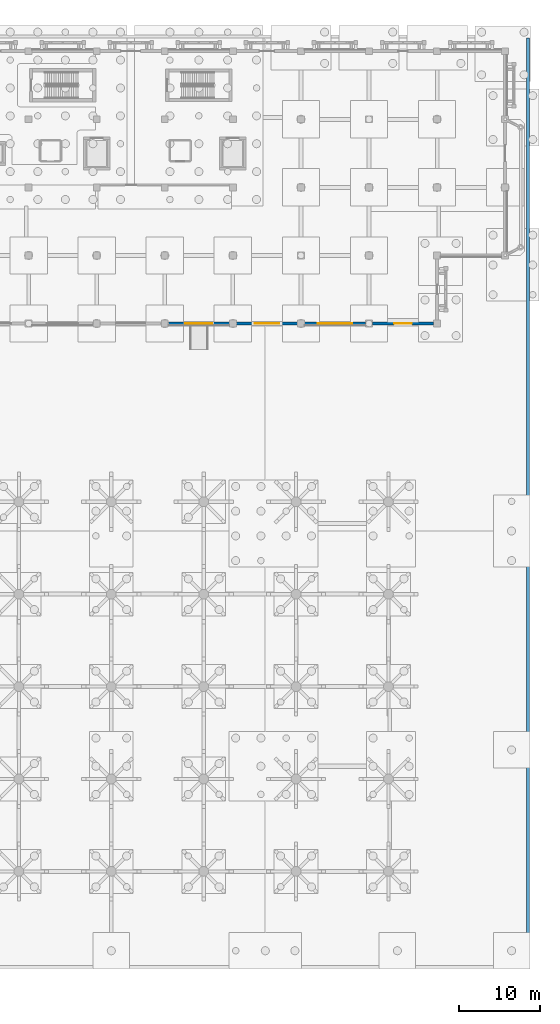
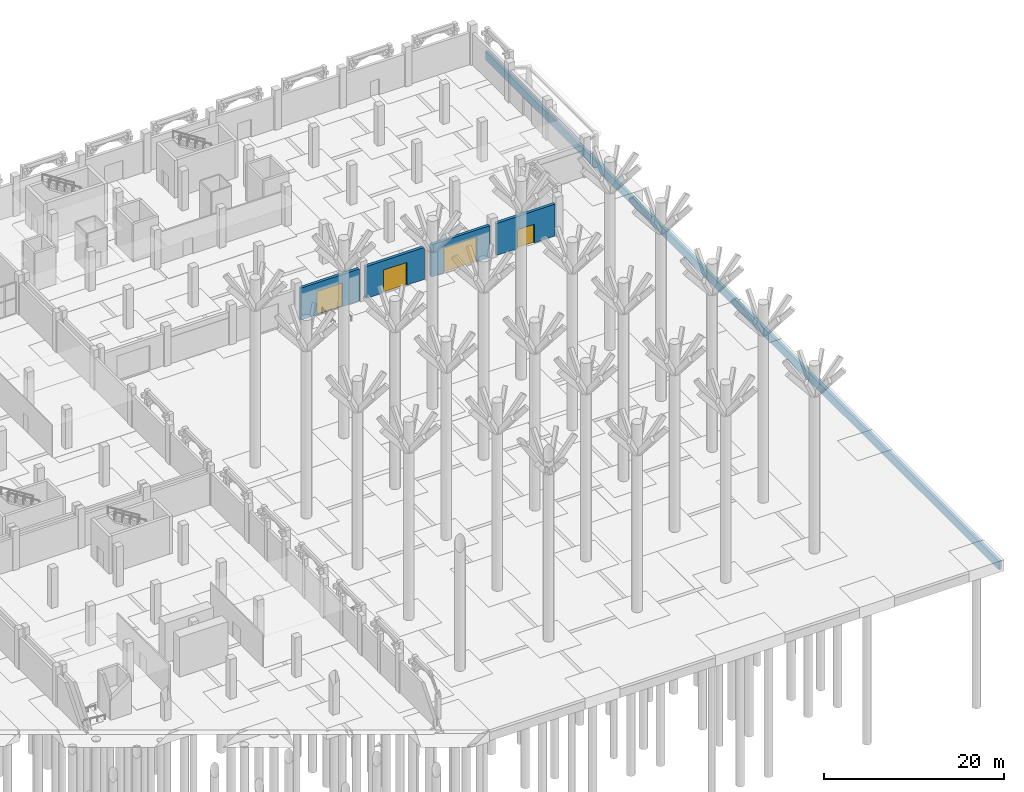
# One storey, part 72 of 98: 5 walls, 4 doors, 4 openings.
"""IFC4 building model written with IfcOpenShell, lengths in metres."""

import ifcopenshell
import ifcopenshell.guid

model = None  # the IFC model being written
_history = None  # IfcOwnerHistory: only IFC2X3 demands one
_inside = {}  # id of a spatial element -> (the spatial element, [elements in it])
_under = {}  # id of a project, library or spatial element -> (it, [spatial elements below it])
_declared = {}  # id of a project -> (the project, [libraries it declares])
_typed = {}  # id of a type object -> (the type object, [elements of that type])
_made_of = {}  # id of a material, layer set ... -> (it, [elements and type objects made of it])


def new_model(schema):
    """Start an empty IFC model of exactly this schema.

    Asked for "IFC4X3", IfcOpenShell would pick the latest addendum, in which some entities
    have other attributes; the version numbers below select the first issue.
    IFC2X3 requires an IfcOwnerHistory on every rooted entity: one is made here for all.
    """
    global model, _history
    if schema == "IFC4X3":
        model = ifcopenshell.file(schema_version=(4, 3, 0, 0))
    else:
        model = ifcopenshell.file(schema=schema)
    _inside.clear()
    _under.clear()
    _declared.clear()
    _typed.clear()
    _made_of.clear()
    _history = None
    if model.schema == "IFC2X3":
        org = make("IfcOrganization", Name="unknown")
        user = make(
            "IfcPersonAndOrganization",
            ThePerson=make("IfcPerson", FamilyName="unknown"),
            TheOrganization=org,
        )
        app = make(
            "IfcApplication",
            ApplicationDeveloper=org,
            Version="unknown",
            ApplicationFullName="unknown",
            ApplicationIdentifier="unknown",
        )
        _history = make(
            "IfcOwnerHistory",
            OwningUser=user,
            OwningApplication=app,
            ChangeAction="ADDED",
            CreationDate=0,
        )
    return model


def make(cls, **values):
    """One entity of the class cls with the attributes given. An attribute that is None is left unset."""
    return model.create_entity(
        cls, **{name: value for name, value in values.items() if value is not None}
    )


def rooted(cls, **values):
    """An entity with a GlobalId (a new one), such as an element, a storey or a relation."""
    return make(cls, GlobalId=ifcopenshell.guid.new(), OwnerHistory=_history, **values)


def si_unit(unit_type, name, prefix=None):
    """IfcSIUnit, for example si_unit("LENGTHUNIT", "METRE", prefix="MILLI")."""
    return make("IfcSIUnit", UnitType=unit_type, Prefix=prefix, Name=name)


def assignment(units):
    """IfcUnitAssignment: the units of a project."""
    return None if units is None else make("IfcUnitAssignment", Units=units)


def point(xyz):
    """IfcCartesianPoint."""
    return None if xyz is None else make("IfcCartesianPoint", Coordinates=xyz)


def direction(xyz):
    """IfcDirection."""
    return None if xyz is None else make("IfcDirection", DirectionRatios=xyz)


def frame(location, z_axis=None, x_axis=None):
    """IfcAxis2Placement3D, a coordinate frame: its origin and axes. An axis left out is left unset."""
    return make(
        "IfcAxis2Placement3D",
        Location=point(location),
        Axis=direction(z_axis),
        RefDirection=direction(x_axis),
    )


def frame_2d(location, x_axis=None):
    """IfcAxis2Placement2D, a coordinate frame in the plane: its origin and x axis."""
    return make(
        "IfcAxis2Placement2D", Location=point(location), RefDirection=direction(x_axis)
    )


def origin():
    """The frame at (0, 0, 0) with its axes left unset."""
    return frame((0.0, 0.0, 0.0))


def place(relative_to, where):
    """IfcLocalPlacement: puts the frame where relative to a parent placement (None: the world)."""
    return make(
        "IfcLocalPlacement", PlacementRelTo=relative_to, RelativePlacement=where
    )


def context(
    kind, dimensions, precision=None, world=None, true_north=None, identifier=None
):
    """IfcGeometricRepresentationContext, for example the 3D "Model" context."""
    return make(
        "IfcGeometricRepresentationContext",
        ContextIdentifier=identifier,
        ContextType=kind,
        CoordinateSpaceDimension=dimensions,
        Precision=precision,
        WorldCoordinateSystem=world,
        TrueNorth=true_north,
    )


def subcontext(parent, identifier, kind, view, scale=None):
    """IfcGeometricRepresentationSubContext, for example "Body" below "Model"."""
    return make(
        "IfcGeometricRepresentationSubContext",
        ContextIdentifier=identifier,
        ContextType=kind,
        ParentContext=parent,
        TargetScale=scale,
        TargetView=view,
    )


def project(units=None, contexts=None):
    """IfcProject with its units and contexts."""
    return rooted(
        "IfcProject",
        Name="project",
        RepresentationContexts=contexts,
        UnitsInContext=assignment(units),
    )


def spatial(cls, under=None, at=None, **own):
    """A site, building, storey or space (cls), placed at a placement, below another one or the project."""
    s = rooted(cls, ObjectPlacement=at, **own)
    if under is not None:
        _under.setdefault(under.id(), (under, []))[1].append(s)
    return s


def profile(cls, at=None, kind="AREA", **sizes):
    """A parametric profile (cls). Its sizes go by their IFC names, for example OverallWidth=200.0."""
    return make(cls, ProfileType=kind, Position=at, **sizes)


def rectangle(**sizes):
    """IfcRectangleProfileDef."""
    return profile("IfcRectangleProfileDef", **sizes)


def extrude(swept, where, along, depth):
    """IfcExtrudedAreaSolid: the profile swept, set in the frame where, extruded along a direction by depth."""
    return make(
        "IfcExtrudedAreaSolid",
        SweptArea=swept,
        Position=where,
        ExtrudedDirection=direction(along),
        Depth=depth,
    )


def shape(context_of_items, identifier, shape_type, items):
    """IfcShapeRepresentation: the items that make up one representation, for example the "Body"."""
    return make(
        "IfcShapeRepresentation",
        ContextOfItems=context_of_items,
        RepresentationIdentifier=identifier,
        RepresentationType=shape_type,
        Items=items,
    )


def material(Name=None, Category=None):
    """IfcMaterial."""
    return make("IfcMaterial", Name=Name, Category=Category)


def layer(
    of_material, thickness, ventilated=None, Name=None, Category=None, Priority=None
):
    """IfcMaterialLayer: one layer of a wall or slab, of a material (None: an air gap)."""
    return make(
        "IfcMaterialLayer",
        Material=of_material,
        LayerThickness=thickness,
        IsVentilated=ventilated,
        Name=Name,
        Category=Category,
        Priority=Priority,
    )


def layer_set(layers, Name=None):
    """IfcMaterialLayerSet."""
    return make("IfcMaterialLayerSet", MaterialLayers=layers, LayerSetName=Name)


def made_of(thing, what):
    """Note that an element or type object is made of a material, layer set ...; save() writes the relation."""
    if what is not None:
        _made_of.setdefault(what.id(), (what, []))[1].append(thing)
    return thing


def type_object(cls, material=None, **own):
    """A type object (cls), such as IfcWallType, which elements share."""
    return made_of(rooted(cls, **own), material)


def element(
    cls,
    number,
    at=None,
    inside=None,
    cuts=None,
    type_object=None,
    material=None,
    context=None,
    identifier="Body",
    shape_type=None,
    held_by="IfcProductDefinitionShape",
    body=None,
    shapes=None,
    **own,
):
    """One element of the class cls, such as IfcWall. Its Tag is "e" and its number.

    at: its placement. inside: the storey or other place that contains it. cuts: it is an
    opening in that element (IfcRelVoidsElement). A single representation is given by context,
    identifier, shape_type and body (its items); several are given by shapes. held_by: the class
    of the entity that holds the representations. save() writes the other relations.
    """
    e = rooted(cls, Tag="e%d" % number, ObjectPlacement=at, **own)
    if body is not None:
        shapes = [shape(context, identifier, shape_type, body)]
    if shapes is not None:
        e.Representation = make(held_by, Representations=shapes)
    if inside is not None:
        _inside.setdefault(inside.id(), (inside, []))[1].append(e)
    if cuts is not None:
        rooted(
            "IfcRelVoidsElement", RelatingBuildingElement=cuts, RelatedOpeningElement=e
        )
    if type_object is not None:
        _typed.setdefault(type_object.id(), (type_object, []))[1].append(e)
    return made_of(e, material)


def fill(opening, filler):
    """IfcRelFillsElement: the door or window that sits in an opening."""
    return rooted(
        "IfcRelFillsElement",
        RelatingOpeningElement=opening,
        RelatedBuildingElement=filler,
    )


def aggregate(whole, parts):
    """IfcRelAggregates: a whole, such as a stair, and the parts it consists of."""
    return rooted("IfcRelAggregates", RelatingObject=whole, RelatedObjects=parts)


def save(model, path):
    """Write the relations noted so far, then the file.

    IfcRelAggregates (storeys below a building ...), IfcRelContainedInSpatialStructure (elements
    in a storey), IfcRelDefinesByType, IfcRelAssociatesMaterial and IfcRelDeclares: one each for
    every whole, place, type object, material and project.
    """
    for whole, parts in _under.values():
        aggregate(whole, parts)
    for where, things in _inside.values():
        rooted(
            "IfcRelContainedInSpatialStructure",
            RelatedElements=things,
            RelatingStructure=where,
        )
    for kind, things in _typed.values():
        rooted("IfcRelDefinesByType", RelatedObjects=things, RelatingType=kind)
    for what, things in _made_of.values():
        rooted("IfcRelAssociatesMaterial", RelatedObjects=things, RelatingMaterial=what)
    for by, libraries in _declared.values():
        rooted("IfcRelDeclares", RelatingContext=by, RelatedDefinitions=libraries)
    model.write(path)


model = new_model("IFC4")

# Units and contexts
model_context = context("Model", 3, precision=1e-05, world=origin(), true_north=direction((0.0, 1.0)))
body_context = subcontext(model_context, "Body", "Model", "MODEL_VIEW")
ifc_project = project(units=[si_unit("LENGTHUNIT", "METRE"), si_unit("AREAUNIT", "SQUARE_METRE"), si_unit("VOLUMEUNIT", "CUBIC_METRE"), si_unit("PLANEANGLEUNIT", "RADIAN"), si_unit("MASSUNIT", "GRAM", prefix="KILO")], contexts=[model_context])

# Site, building, storey
site_placement = place(None, origin())
site = spatial("IfcSite", under=ifc_project, at=site_placement, CompositionType="ELEMENT")
building_placement = place(site_placement, origin())
building = spatial("IfcBuilding", under=site, at=building_placement, Name="Xazarin Passage Department Store", CompositionType="ELEMENT")
storey_placement = place(building_placement, origin())
storey = spatial("IfcBuildingStorey", under=building, at=storey_placement, Name="L00", CompositionType="ELEMENT", Elevation=0.0)

# Wall, opening, door
ifc_material_1 = material(Name="Concrete C35/45", Category="concrete")
ifc_layer_1 = layer(ifc_material_1, 0.3798828125)
ifc_layer_set_1 = layer_set([ifc_layer_1], Name="Concrete C35/45")
wall_type_1 = type_object("IfcWallType", Name="ARC-W-DCK380", PredefinedType="SOLIDWALL", material=ifc_layer_set_1)
wall_1_placement = place(storey_placement, frame((128.02490234375, 76.39990234375, 0.0), z_axis=(0.0, 0.0, 1.0), x_axis=(1.0, 0.0, 0.0)))
wall_1 = element("IfcWall", 1, at=wall_1_placement, inside=storey, type_object=wall_type_1, Name="L00 V4 Exterior Wall 250", PredefinedType="SOLIDWALL", context=body_context, shape_type="SweptSolid", body=[
    extrude(rectangle(XDim=7.550048828125, YDim=0.3798828125, at=frame_2d((3.77490234375, 0.0))), origin(), (0.0, 0.0, 1.0), 4.35009765625),
])
opening_1_placement = place(wall_1_placement, frame((2.125, 0.0, 0.0)))
opening_1 = element("IfcOpeningElement", 2, at=opening_1_placement, cuts=wall_1, Name="Opening DG-04", PredefinedType="OPENING", context=body_context, shape_type="SweptSolid", body=[
    extrude(rectangle(XDim=3.300048828125, YDim=3.199951171875, at=frame_2d((1.64990234375, 1.60009765625))), frame((0.0, 0.199951171875, 0.0), z_axis=(0.0, -1.0, 0.0), x_axis=(1.0, 0.0, 0.0)), (0.0, 0.0, 1.0), 0.39990234375),
])
ifc_material_2 = material(Name="Steel S355", Category="steel")
door_type_1 = type_object("IfcDoorType", Name="ARC-GT-DCK330", OperationType="NOTDEFINED", PredefinedType="GATE", material=ifc_material_2)
door_1_placement = place(opening_1_placement, origin())
door_1 = element("IfcDoor", 3, at=door_1_placement, inside=storey, type_object=door_type_1, Name="DR-GATE-04", OperationType="ROLLINGUP", OverallHeight=3.199951171875, OverallWidth=3.300048828125, PredefinedType="GATE", context=body_context, shape_type="SweptSolid", body=[
    extrude(rectangle(XDim=3.300048828125, YDim=3.199951171875, at=frame_2d((1.64990234375, 1.60009765625))), frame((0.0, 0.02490234375, 0.0), z_axis=(0.0, -1.0, 0.0), x_axis=(1.0, 0.0, 0.0)), (0.0, 0.0, 1.0), 0.050048828125),
])
fill(opening_1, door_1)

wall_2_placement = place(storey_placement, frame((136.425048828125, 76.39990234375, 0.0), z_axis=(0.0, 0.0, 1.0), x_axis=(1.0, 0.0, 0.0)))
wall_2 = element("IfcWall", 4, at=wall_2_placement, inside=storey, type_object=wall_type_1, Name="L00 V4 Exterior Wall 251", PredefinedType="SOLIDWALL", context=body_context, shape_type="SweptSolid", body=[
    extrude(rectangle(XDim=7.550048828125, YDim=0.3798828125, at=frame_2d((3.77490234375, 0.0))), origin(), (0.0, 0.0, 1.0), 4.35009765625),
])
opening_2_placement = place(wall_2_placement, frame((2.27490234375, 0.0, 0.0)))
opening_2 = element("IfcOpeningElement", 5, at=opening_2_placement, cuts=wall_2, Name="Opening DG-05", PredefinedType="OPENING", context=body_context, shape_type="SweptSolid", body=[
    extrude(rectangle(XDim=3.0, YDim=3.10009765625, at=frame_2d((1.5, 1.550048828125))), frame((0.0, 0.199951171875, 0.0), z_axis=(0.0, -1.0, 0.0), x_axis=(1.0, 0.0, 0.0)), (0.0, 0.0, 1.0), 0.39990234375),
])
door_type_2 = type_object("IfcDoorType", Name="ARC-GT-DCK300", OperationType="NOTDEFINED", PredefinedType="GATE", material=ifc_material_2)
door_2_placement = place(opening_2_placement, origin())
door_2 = element("IfcDoor", 6, at=door_2_placement, inside=storey, type_object=door_type_2, Name="DR-GATE-05", OperationType="ROLLINGUP", OverallHeight=3.10009765625, OverallWidth=3.0, PredefinedType="GATE", context=body_context, shape_type="SweptSolid", body=[
    extrude(rectangle(XDim=3.0, YDim=3.10009765625, at=frame_2d((1.5, 1.550048828125))), frame((0.0, 0.02490234375, 0.0), z_axis=(0.0, -1.0, 0.0), x_axis=(1.0, 0.0, 0.0)), (0.0, 0.0, 1.0), 0.050048828125),
])
fill(opening_2, door_2)

wall_3_placement = place(storey_placement, frame((144.824951171875, 76.39990234375, 0.0), z_axis=(0.0, 0.0, 1.0), x_axis=(1.0, 0.0, 0.0)))
wall_3 = element("IfcWall", 7, at=wall_3_placement, inside=storey, type_object=wall_type_1, Name="L00 V4 Exterior Wall 252", PredefinedType="SOLIDWALL", context=body_context, shape_type="SweptSolid", body=[
    extrude(rectangle(XDim=7.550048828125, YDim=0.3798828125, at=frame_2d((3.77490234375, 0.0))), origin(), (0.0, 0.0, 1.0), 4.35009765625),
])
opening_3_placement = place(wall_3_placement, frame((1.675048828125, 0.0, 0.0)))
opening_3 = element("IfcOpeningElement", 8, at=opening_3_placement, cuts=wall_3, Name="Opening DG-01", PredefinedType="OPENING", context=body_context, shape_type="SweptSolid", body=[
    extrude(rectangle(XDim=4.199951171875, YDim=3.39990234375, at=frame_2d((2.10009765625, 1.699951171875))), frame((0.0, 0.199951171875, 0.0), z_axis=(0.0, -1.0, 0.0), x_axis=(1.0, 0.0, 0.0)), (0.0, 0.0, 1.0), 0.39990234375),
])
door_type_3 = type_object("IfcDoorType", Name="ARC-GT-DCK420", OperationType="NOTDEFINED", PredefinedType="GATE", material=ifc_material_2)
door_3_placement = place(opening_3_placement, origin())
door_3 = element("IfcDoor", 9, at=door_3_placement, inside=storey, type_object=door_type_3, Name="DR-GATE-06", OperationType="ROLLINGUP", OverallHeight=3.39990234375, OverallWidth=4.199951171875, PredefinedType="GATE", context=body_context, shape_type="SweptSolid", body=[
    extrude(rectangle(XDim=4.199951171875, YDim=3.39990234375, at=frame_2d((2.10009765625, 1.699951171875))), frame((0.0, 0.02490234375, 0.0), z_axis=(0.0, -1.0, 0.0), x_axis=(1.0, 0.0, 0.0)), (0.0, 0.0, 1.0), 0.050048828125),
])
fill(opening_3, door_3)

wall_4_placement = place(storey_placement, frame((153.22509765625, 76.39990234375, 0.0), z_axis=(0.0, 0.0, 1.0), x_axis=(1.0, 0.0, 0.0)))
wall_4 = element("IfcWall", 10, at=wall_4_placement, inside=storey, type_object=wall_type_1, Name="L00 V4 Exterior Wall 253", PredefinedType="SOLIDWALL", context=body_context, shape_type="SweptSolid", body=[
    extrude(rectangle(XDim=7.5498046875, YDim=0.3798828125, at=frame_2d((3.77490234375, 0.0))), origin(), (0.0, 0.0, 1.0), 4.35009765625),
])
opening_4_placement = place(wall_4_placement, frame((2.675048828125, 0.0, 0.0)))
opening_4 = element("IfcOpeningElement", 11, at=opening_4_placement, cuts=wall_4, Name="Opening ED2", PredefinedType="OPENING", context=body_context, shape_type="SweptSolid", body=[
    extrude(rectangle(XDim=2.199951171875, YDim=2.550048828125, at=frame_2d((1.10009765625, 1.27490234375))), frame((0.0, 0.199951171875, 0.0), z_axis=(0.0, -1.0, 0.0), x_axis=(1.0, 0.0, 0.0)), (0.0, 0.0, 1.0), 0.39990234375),
])
ifc_material_3 = material(Name="Bronze anodised aluminium", Category="aluminium")
door_type_4 = type_object("IfcDoorType", Name="ARC-DR-ENT220", OperationType="NOTDEFINED", PredefinedType="DOOR", material=ifc_material_3)
door_4_placement = place(opening_4_placement, origin())
door_4 = element("IfcDoor", 12, at=door_4_placement, inside=storey, type_object=door_type_4, Name="DR-EXT-024", OperationType="DOUBLE_DOOR_SINGLE_SWING", OverallHeight=2.550048828125, OverallWidth=2.199951171875, PredefinedType="DOOR", context=body_context, shape_type="SweptSolid", body=[
    extrude(rectangle(XDim=2.199951171875, YDim=2.550048828125, at=frame_2d((1.10009765625, 1.27490234375))), frame((0.0, 0.02490234375, 0.0), z_axis=(0.0, -1.0, 0.0), x_axis=(1.0, 0.0, 0.0)), (0.0, 0.0, 1.0), 0.050048828125),
])
fill(opening_4, door_4)

# Wall
ifc_material_4 = material(Name="Absheron limestone cladding", Category="masonry")
ifc_layer_2 = layer(ifc_material_4, 0.360107421875)
ifc_layer_set_2 = layer_set([ifc_layer_2], Name="Absheron limestone cladding")
wall_type_2 = type_object("IfcWallType", Name="ARC-W-EXT360", PredefinedType="SOLIDWALL", material=ifc_layer_set_2)
wall_5_placement = place(storey_placement, frame((172.419921875, -2.800048828125, -1.5), z_axis=(0.0, 0.0, 1.0), x_axis=(0.0, 1.0, 0.0)))
element("IfcWall", 13, at=wall_5_placement, inside=storey, type_object=wall_type_2, Name="L00 Civic Plaza Limestone Plinth Skirt 2", PredefinedType="SOLIDWALL", context=body_context, shape_type="SweptSolid", body=[
    extrude(rectangle(XDim=114.400146484375, YDim=0.360107421875, at=frame_2d((57.2001953125, 0.0))), origin(), (0.0, 0.0, 1.0), 1.14990234375),
])

save(model, "model.ifc")
